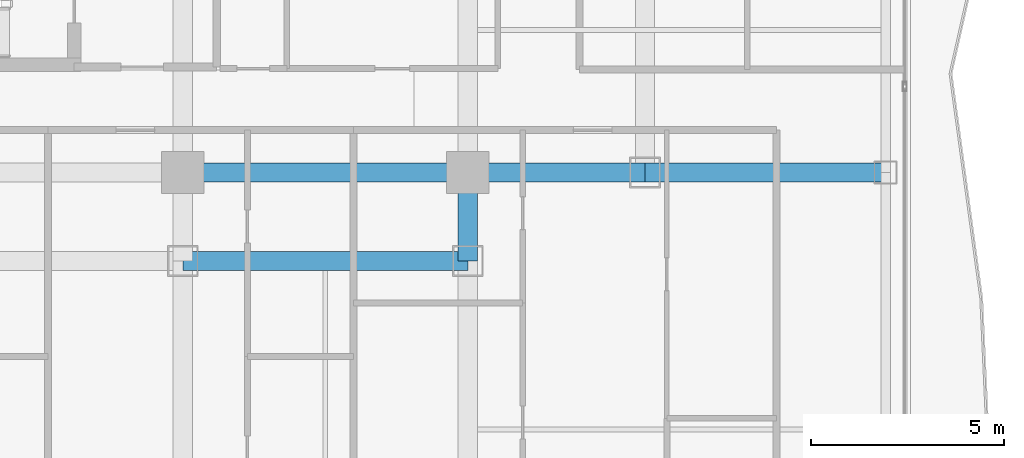
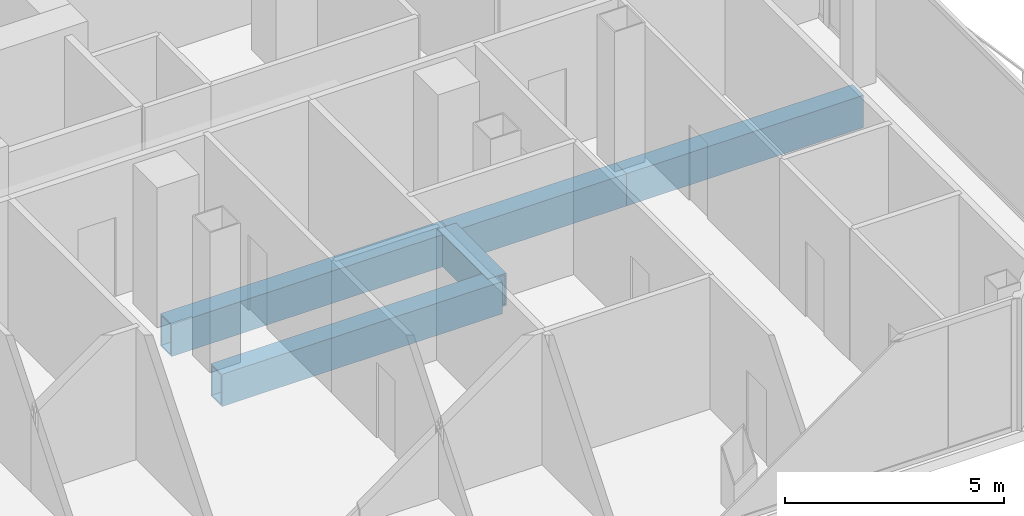
# One storey, part 8 of 26: 5 beams.
"""IFC4 building model written with IfcOpenShell, lengths in metres."""

import ifcopenshell
import ifcopenshell.guid

model = None  # the IFC model being written
_history = None  # IfcOwnerHistory: only IFC2X3 demands one
_inside = {}  # id of a spatial element -> (the spatial element, [elements in it])
_under = {}  # id of a project, library or spatial element -> (it, [spatial elements below it])
_declared = {}  # id of a project -> (the project, [libraries it declares])
_typed = {}  # id of a type object -> (the type object, [elements of that type])
_made_of = {}  # id of a material, layer set ... -> (it, [elements and type objects made of it])


def new_model(schema):
    """Start an empty IFC model of exactly this schema.

    Asked for "IFC4X3", IfcOpenShell would pick the latest addendum, in which some entities
    have other attributes; the version numbers below select the first issue.
    IFC2X3 requires an IfcOwnerHistory on every rooted entity: one is made here for all.
    """
    global model, _history
    if schema == "IFC4X3":
        model = ifcopenshell.file(schema_version=(4, 3, 0, 0))
    else:
        model = ifcopenshell.file(schema=schema)
    _inside.clear()
    _under.clear()
    _declared.clear()
    _typed.clear()
    _made_of.clear()
    _history = None
    if model.schema == "IFC2X3":
        org = make("IfcOrganization", Name="unknown")
        user = make(
            "IfcPersonAndOrganization",
            ThePerson=make("IfcPerson", FamilyName="unknown"),
            TheOrganization=org,
        )
        app = make(
            "IfcApplication",
            ApplicationDeveloper=org,
            Version="unknown",
            ApplicationFullName="unknown",
            ApplicationIdentifier="unknown",
        )
        _history = make(
            "IfcOwnerHistory",
            OwningUser=user,
            OwningApplication=app,
            ChangeAction="ADDED",
            CreationDate=0,
        )
    return model


def make(cls, **values):
    """One entity of the class cls with the attributes given. An attribute that is None is left unset."""
    return model.create_entity(
        cls, **{name: value for name, value in values.items() if value is not None}
    )


def rooted(cls, **values):
    """An entity with a GlobalId (a new one), such as an element, a storey or a relation."""
    return make(cls, GlobalId=ifcopenshell.guid.new(), OwnerHistory=_history, **values)


def si_unit(unit_type, name, prefix=None):
    """IfcSIUnit, for example si_unit("LENGTHUNIT", "METRE", prefix="MILLI")."""
    return make("IfcSIUnit", UnitType=unit_type, Prefix=prefix, Name=name)


def assignment(units):
    """IfcUnitAssignment: the units of a project."""
    return None if units is None else make("IfcUnitAssignment", Units=units)


def point(xyz):
    """IfcCartesianPoint."""
    return None if xyz is None else make("IfcCartesianPoint", Coordinates=xyz)


def direction(xyz):
    """IfcDirection."""
    return None if xyz is None else make("IfcDirection", DirectionRatios=xyz)


def frame(location, z_axis=None, x_axis=None):
    """IfcAxis2Placement3D, a coordinate frame: its origin and axes. An axis left out is left unset."""
    return make(
        "IfcAxis2Placement3D",
        Location=point(location),
        Axis=direction(z_axis),
        RefDirection=direction(x_axis),
    )


def frame_2d(location, x_axis=None):
    """IfcAxis2Placement2D, a coordinate frame in the plane: its origin and x axis."""
    return make(
        "IfcAxis2Placement2D", Location=point(location), RefDirection=direction(x_axis)
    )


def origin():
    """The frame at (0, 0, 0) with its axes left unset."""
    return frame((0.0, 0.0, 0.0))


def origin_2d():
    """The frame at (0, 0) in the plane with its x axis left unset."""
    return frame_2d((0.0, 0.0))


def place(relative_to, where):
    """IfcLocalPlacement: puts the frame where relative to a parent placement (None: the world)."""
    return make(
        "IfcLocalPlacement", PlacementRelTo=relative_to, RelativePlacement=where
    )


def context(
    kind, dimensions, precision=None, world=None, true_north=None, identifier=None
):
    """IfcGeometricRepresentationContext, for example the 3D "Model" context."""
    return make(
        "IfcGeometricRepresentationContext",
        ContextIdentifier=identifier,
        ContextType=kind,
        CoordinateSpaceDimension=dimensions,
        Precision=precision,
        WorldCoordinateSystem=world,
        TrueNorth=true_north,
    )


def subcontext(parent, identifier, kind, view, scale=None):
    """IfcGeometricRepresentationSubContext, for example "Body" below "Model"."""
    return make(
        "IfcGeometricRepresentationSubContext",
        ContextIdentifier=identifier,
        ContextType=kind,
        ParentContext=parent,
        TargetScale=scale,
        TargetView=view,
    )


def project(units=None, contexts=None):
    """IfcProject with its units and contexts."""
    return rooted(
        "IfcProject",
        Name="project",
        RepresentationContexts=contexts,
        UnitsInContext=assignment(units),
    )


def spatial(cls, under=None, at=None, **own):
    """A site, building, storey or space (cls), placed at a placement, below another one or the project."""
    s = rooted(cls, ObjectPlacement=at, **own)
    if under is not None:
        _under.setdefault(under.id(), (under, []))[1].append(s)
    return s


def profile(cls, at=None, kind="AREA", **sizes):
    """A parametric profile (cls). Its sizes go by their IFC names, for example OverallWidth=200.0."""
    return make(cls, ProfileType=kind, Position=at, **sizes)


def hollow_rectangle(**sizes):
    """IfcRectangleHollowProfileDef."""
    return profile("IfcRectangleHollowProfileDef", **sizes)


def extrude(swept, where, along, depth):
    """IfcExtrudedAreaSolid: the profile swept, set in the frame where, extruded along a direction by depth."""
    return make(
        "IfcExtrudedAreaSolid",
        SweptArea=swept,
        Position=where,
        ExtrudedDirection=direction(along),
        Depth=depth,
    )


def shape(context_of_items, identifier, shape_type, items):
    """IfcShapeRepresentation: the items that make up one representation, for example the "Body"."""
    return make(
        "IfcShapeRepresentation",
        ContextOfItems=context_of_items,
        RepresentationIdentifier=identifier,
        RepresentationType=shape_type,
        Items=items,
    )


def material(Name=None, Category=None):
    """IfcMaterial."""
    return make("IfcMaterial", Name=Name, Category=Category)


def material_profile(
    of_material, cross_section, Name=None, Category=None, Priority=None
):
    """IfcMaterialProfile: a cross section and its material."""
    return make(
        "IfcMaterialProfile",
        Name=Name,
        Material=of_material,
        Profile=cross_section,
        Priority=Priority,
        Category=Category,
    )


def profile_set(profiles, Name=None, composite=None):
    """IfcMaterialProfileSet."""
    return make(
        "IfcMaterialProfileSet",
        Name=Name,
        MaterialProfiles=profiles,
        CompositeProfile=composite,
    )


def made_of(thing, what):
    """Note that an element or type object is made of a material, layer set ...; save() writes the relation."""
    if what is not None:
        _made_of.setdefault(what.id(), (what, []))[1].append(thing)
    return thing


def type_object(cls, material=None, **own):
    """A type object (cls), such as IfcWallType, which elements share."""
    return made_of(rooted(cls, **own), material)


def element(
    cls,
    number,
    at=None,
    inside=None,
    cuts=None,
    type_object=None,
    material=None,
    context=None,
    identifier="Body",
    shape_type=None,
    held_by="IfcProductDefinitionShape",
    body=None,
    shapes=None,
    **own,
):
    """One element of the class cls, such as IfcWall. Its Tag is "e" and its number.

    at: its placement. inside: the storey or other place that contains it. cuts: it is an
    opening in that element (IfcRelVoidsElement). A single representation is given by context,
    identifier, shape_type and body (its items); several are given by shapes. held_by: the class
    of the entity that holds the representations. save() writes the other relations.
    """
    e = rooted(cls, Tag="e%d" % number, ObjectPlacement=at, **own)
    if body is not None:
        shapes = [shape(context, identifier, shape_type, body)]
    if shapes is not None:
        e.Representation = make(held_by, Representations=shapes)
    if inside is not None:
        _inside.setdefault(inside.id(), (inside, []))[1].append(e)
    if cuts is not None:
        rooted(
            "IfcRelVoidsElement", RelatingBuildingElement=cuts, RelatedOpeningElement=e
        )
    if type_object is not None:
        _typed.setdefault(type_object.id(), (type_object, []))[1].append(e)
    return made_of(e, material)


def aggregate(whole, parts):
    """IfcRelAggregates: a whole, such as a stair, and the parts it consists of."""
    return rooted("IfcRelAggregates", RelatingObject=whole, RelatedObjects=parts)


def save(model, path):
    """Write the relations noted so far, then the file.

    IfcRelAggregates (storeys below a building ...), IfcRelContainedInSpatialStructure (elements
    in a storey), IfcRelDefinesByType, IfcRelAssociatesMaterial and IfcRelDeclares: one each for
    every whole, place, type object, material and project.
    """
    for whole, parts in _under.values():
        aggregate(whole, parts)
    for where, things in _inside.values():
        rooted(
            "IfcRelContainedInSpatialStructure",
            RelatedElements=things,
            RelatingStructure=where,
        )
    for kind, things in _typed.values():
        rooted("IfcRelDefinesByType", RelatedObjects=things, RelatingType=kind)
    for what, things in _made_of.values():
        rooted("IfcRelAssociatesMaterial", RelatedObjects=things, RelatingMaterial=what)
    for by, libraries in _declared.values():
        rooted("IfcRelDeclares", RelatingContext=by, RelatedDefinitions=libraries)
    model.write(path)


model = new_model("IFC4")

# Units and contexts
model_context = context("Model", 3, precision=1e-05, world=origin(), true_north=direction((0.0, 1.0)))
body_context = subcontext(model_context, "Body", "Model", "MODEL_VIEW")
ifc_project = project(units=[si_unit("LENGTHUNIT", "METRE"), si_unit("AREAUNIT", "SQUARE_METRE"), si_unit("VOLUMEUNIT", "CUBIC_METRE"), si_unit("PLANEANGLEUNIT", "RADIAN"), si_unit("MASSUNIT", "GRAM", prefix="KILO")], contexts=[model_context])

# Site, building, storey
site_placement = place(None, origin())
site = spatial("IfcSite", under=ifc_project, at=site_placement, CompositionType="ELEMENT")
building_placement = place(site_placement, origin())
building = spatial("IfcBuilding", under=site, at=building_placement, Name="Khorvyn Point Tower", CompositionType="ELEMENT")
storey_placement = place(building_placement, frame((0.0, 0.0, 219.60009765625)))
storey = spatial("IfcBuildingStorey", under=building, at=storey_placement, Name="L54", CompositionType="ELEMENT", Elevation=219.60009765625)

# Beams
ifc_material = material(Name="Steel S450", Category="steel")
ifc_material_profile = material_profile(ifc_material, hollow_rectangle(XDim=0.5, YDim=0.89990234375, WallThickness=0.0400390625, at=origin_2d()))
ifc_profile_set = profile_set([ifc_material_profile], Name="Steel S450 BOX900x500x40")
beam_type = type_object("IfcBeamType", Name="Steel S450 Beam BOX900x500x40", PredefinedType="BEAM", material=ifc_profile_set)
beam_1_placement = place(storey_placement, frame((7.39990234375, -14.800048828125, -0.72998046875), z_axis=(1.0, 0.0, 0.0), x_axis=(0.0, 1.0, 0.0)))
element("IfcBeam", 1, at=beam_1_placement, inside=storey, type_object=beam_type, Name="L54 Radial Transfer Girder", PredefinedType="BEAM", context=body_context, shape_type="SweptSolid", body=[
    extrude(hollow_rectangle(XDim=0.5, YDim=0.89990234375, WallThickness=0.0400390625, at=origin_2d()), origin(), (0.0, 0.0, 1.0), 7.400146484375),
])
beam_2_placement = place(storey_placement, frame((14.800048828125, -14.800048828125, -0.72998046875), z_axis=(1.0, 0.0, 0.0), x_axis=(0.0, 1.0, 0.0)))
element("IfcBeam", 2, at=beam_2_placement, inside=storey, type_object=beam_type, Name="L54 Radial Transfer Girder", PredefinedType="BEAM", context=body_context, shape_type="SweptSolid", body=[
    extrude(hollow_rectangle(XDim=0.5, YDim=0.89990234375, WallThickness=0.0400390625, at=origin_2d()), origin(), (0.0, 0.0, 1.0), 4.599853515625),
])
beam_3_placement = place(storey_placement, frame((19.39990234375, -14.800048828125, -0.72998046875), z_axis=(1.0, 0.0, 0.0), x_axis=(0.0, 1.0, 0.0)))
element("IfcBeam", 3, at=beam_3_placement, inside=storey, type_object=beam_type, Name="L54 Radial Transfer Girder", PredefinedType="BEAM", context=body_context, shape_type="SweptSolid", body=[
    extrude(hollow_rectangle(XDim=0.5, YDim=0.89990234375, WallThickness=0.0400390625, at=origin_2d()), origin(), (0.0, 0.0, 1.0), 6.25),
])
beam_4_placement = place(storey_placement, frame((7.39990234375, -17.10009765625, -0.72998046875), z_axis=(1.0, 0.0, 0.0), x_axis=(0.0, 1.0, 0.0)))
element("IfcBeam", 4, at=beam_4_placement, inside=storey, type_object=beam_type, Name="Beam", PredefinedType="BEAM", context=body_context, shape_type="SweptSolid", body=[
    extrude(hollow_rectangle(XDim=0.5, YDim=0.89990234375, WallThickness=0.0400390625, at=origin_2d()), origin(), (0.0, 0.0, 1.0), 7.400146484375),
])
beam_5_placement = place(storey_placement, frame((14.800048828125, -17.10009765625, -0.72998046875), z_axis=(0.0, 1.0, 0.0), x_axis=(-1.0, 0.0, 0.0)))
element("IfcBeam", 5, at=beam_5_placement, inside=storey, type_object=beam_type, Name="L54 Radial Transfer Girder", PredefinedType="BEAM", context=body_context, shape_type="SweptSolid", body=[
    extrude(hollow_rectangle(XDim=0.5, YDim=0.89990234375, WallThickness=0.0400390625, at=origin_2d()), origin(), (0.0, 0.0, 1.0), 2.300048828125),
])

save(model, "model.ifc")
